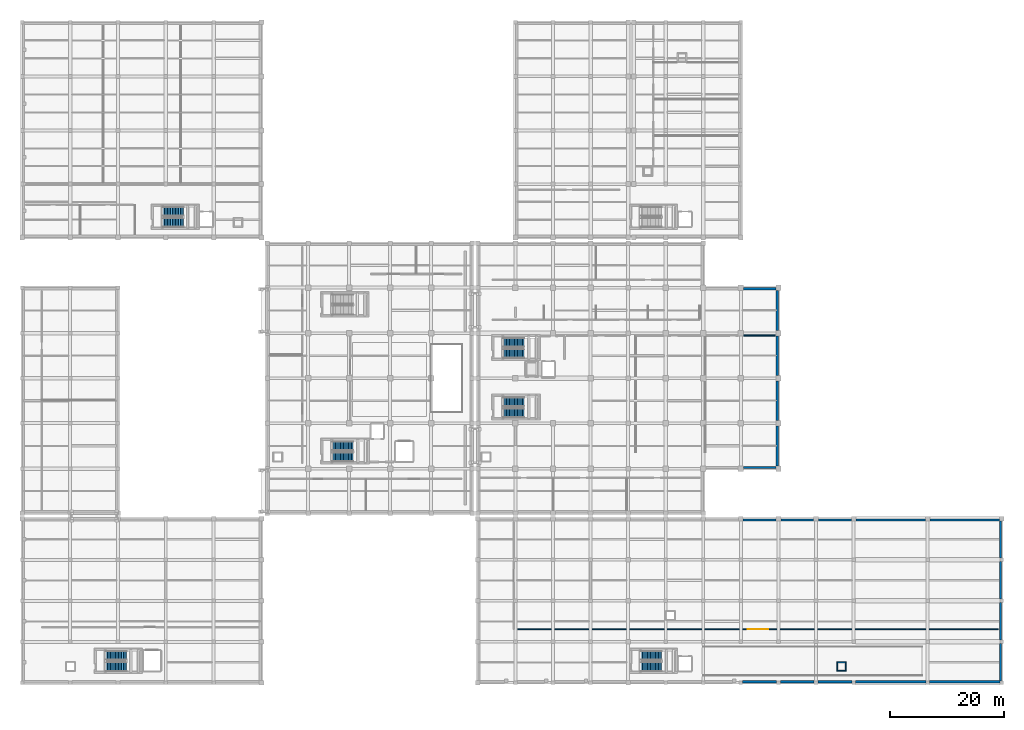
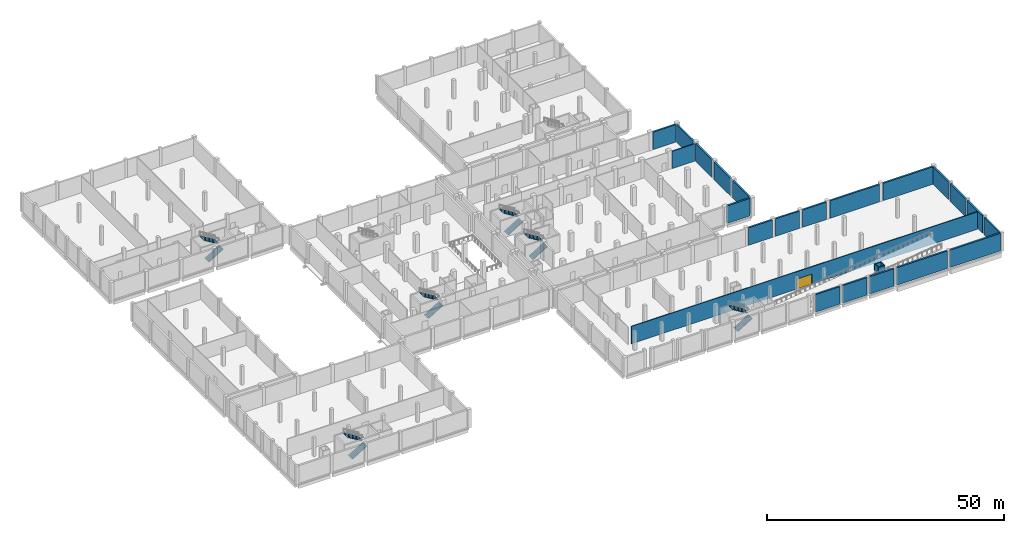
# One storey, part 19 of 31: 26 walls, 12 stair flights, 1 door, 1 opening, 6 elements without a shape of their own.
"""IFC4 building model written with IfcOpenShell, lengths in metres."""

from ifc_helpers import new_model, si_unit, direction, frame, frame_2d, origin, place, context, subcontext, project, spatial, polyline, rectangle, outline, extrude, material, layer, layer_set, type_object, element, fill, aggregate, save


model = new_model("IFC4")

# Units and contexts
model_context = context("Model", 3, precision=1e-05, world=origin(), true_north=direction((0.0, 1.0)))
body_context = subcontext(model_context, "Body", "Model", "MODEL_VIEW")
ifc_project = project(units=[si_unit("LENGTHUNIT", "METRE"), si_unit("AREAUNIT", "SQUARE_METRE"), si_unit("VOLUMEUNIT", "CUBIC_METRE"), si_unit("PLANEANGLEUNIT", "RADIAN"), si_unit("MASSUNIT", "GRAM", prefix="KILO")], contexts=[model_context])

# Site, building, storey
site_placement = place(None, origin())
site = spatial("IfcSite", under=ifc_project, at=site_placement, CompositionType="ELEMENT")
building_placement = place(site_placement, origin())
building = spatial("IfcBuilding", under=site, at=building_placement, Name="Kelarvand Opera House", CompositionType="ELEMENT")
storey_placement = place(building_placement, frame((0.0, 0.0, -4.800048828125)))
storey = spatial("IfcBuildingStorey", under=building, at=storey_placement, Name="B1", CompositionType="ELEMENT", Elevation=-4.800048828125)

# Walls
ifc_material_1 = material(Name="Concrete C35/45", Category="concrete")
ifc_layer_1 = layer(ifc_material_1, 0.419921875, Name="Concrete C35/45", Category="concrete")
ifc_layer_set_1 = layer_set([ifc_layer_1], Name="Concrete C35/45")
wall_type_1 = type_object("IfcWallType", Name="Basement Perimeter Retaining Wall 420", PredefinedType="SHEAR", material=ifc_layer_set_1)
wall_1_placement = place(storey_placement, frame((135.675048828125, 78.18994140625, 0.0), z_axis=(0.0, 0.0, 1.0), x_axis=(1.0, 0.0, 0.0)))
element("IfcWall", 1, at=wall_1_placement, inside=storey, type_object=wall_type_1, Name="V1 B1 Retaining Wall 49", PredefinedType="SHEAR", context=body_context, shape_type="SweptSolid", body=[
    extrude(rectangle(XDim=5.64990234375, YDim=0.419921875, at=frame_2d((2.824951171875, 0.0))), origin(), (0.0, 0.0, 1.0), 4.5),
])
wall_2_placement = place(storey_placement, frame((141.590087890625, 77.925048828125, 0.0), z_axis=(0.0, 0.0, 1.0), x_axis=(0.0, -1.0, 0.0)))
element("IfcWall", 2, at=wall_2_placement, inside=storey, type_object=wall_type_1, Name="V1 B1 Retaining Wall 50", PredefinedType="SHEAR", context=body_context, shape_type="SweptSolid", body=[
    extrude(rectangle(XDim=7.050048828125, YDim=0.419921875, at=frame_2d((3.52490234375, 0.0))), origin(), (0.0, 0.0, 1.0), 4.5),
])
for number, where, z_axis, x_axis, name in (
    (3, (141.590087890625, 69.925048828125, 0.0), (0.0, 0.0, 1.0), (0.0, -1.0, 0.0), "V1 B1 Retaining Wall 51"),
    (4, (141.590087890625, 62.02490234375, 0.0), (0.0, 0.0, 1.0), (0.0, -1.0, 0.0), "V1 B1 Retaining Wall 52"),
):
    element("IfcWall", number, at=place(storey_placement, frame(where, z_axis=z_axis, x_axis=x_axis)), inside=storey, type_object=wall_type_1, Name=name, PredefinedType="SHEAR", context=body_context, shape_type="SweptSolid", body=[
        extrude(rectangle(XDim=6.949951171875, YDim=0.419921875, at=frame_2d((3.47509765625, 0.0))), origin(), (0.0, 0.0, 1.0), 4.5),
    ])
wall_3_placement = place(storey_placement, frame((141.590087890625, 54.125, 0.0), z_axis=(0.0, 0.0, 1.0), x_axis=(0.0, -1.0, 0.0)))
element("IfcWall", 5, at=wall_3_placement, inside=storey, type_object=wall_type_1, Name="V1 B1 Retaining Wall 53", PredefinedType="SHEAR", context=body_context, shape_type="SweptSolid", body=[
    extrude(rectangle(XDim=7.050048828125, YDim=0.419921875, at=frame_2d((3.52490234375, 0.0))), origin(), (0.0, 0.0, 1.0), 4.5),
])
wall_4_placement = place(storey_placement, frame((141.324951171875, 46.81005859375, 0.0), z_axis=(0.0, 0.0, 1.0), x_axis=(-1.0, 0.0, 0.0)))
element("IfcWall", 6, at=wall_4_placement, inside=storey, type_object=wall_type_1, Name="V1 B1 Retaining Wall 54", PredefinedType="SHEAR", context=body_context, shape_type="SweptSolid", body=[
    extrude(rectangle(XDim=5.64990234375, YDim=0.419921875, at=frame_2d((2.824951171875, 0.0))), origin(), (0.0, 0.0, 1.0), 4.5),
])
wall_5_placement = place(storey_placement, frame((180.7900390625, 37.389892578125, 0.0), z_axis=(0.0, 0.0, 1.0), x_axis=(0.0, -1.0, 0.0)))
element("IfcWall", 7, at=wall_5_placement, inside=storey, type_object=wall_type_1, Name="V6 B1 Retaining Wall 665", PredefinedType="SHEAR", context=body_context, shape_type="SweptSolid", body=[
    extrude(rectangle(XDim=6.46484375, YDim=0.419921875, at=frame_2d((3.232421875, 0.0))), origin(), (0.0, 0.0, 1.0), 4.5),
])
wall_6_placement = place(storey_placement, frame((180.7900390625, 30.27490234375, 0.0), z_axis=(0.0, 0.0, 1.0), x_axis=(0.0, -1.0, 0.0)))
element("IfcWall", 8, at=wall_6_placement, inside=storey, type_object=wall_type_1, Name="V6 B1 Retaining Wall 666", PredefinedType="SHEAR", context=body_context, shape_type="SweptSolid", body=[
    extrude(rectangle(XDim=6.5498046875, YDim=0.419921875, at=frame_2d((3.27490234375, 0.0))), origin(), (0.0, 0.0, 1.0), 4.5),
])
for number, where, z_axis, x_axis, name in (
    (9, (180.7900390625, 23.074951171875, 0.0), (0.0, 0.0, 1.0), (0.0, -1.0, 0.0), "V6 B1 Retaining Wall 667"),
    (10, (180.7900390625, 15.875, 0.0), (0.0, 0.0, 1.0), (0.0, -1.0, 0.0), "V6 B1 Retaining Wall 668"),
):
    element("IfcWall", number, at=place(storey_placement, frame(where, z_axis=z_axis, x_axis=x_axis)), inside=storey, type_object=wall_type_1, Name=name, PredefinedType="SHEAR", context=body_context, shape_type="SweptSolid", body=[
        extrude(rectangle(XDim=6.550048828125, YDim=0.419921875, at=frame_2d((3.27490234375, 0.0))), origin(), (0.0, 0.0, 1.0), 4.5),
    ])
wall_7_placement = place(storey_placement, frame((135.610107421875, 37.590087890625, 0.0), z_axis=(0.0, 0.0, 1.0), x_axis=(1.0, 0.0, 0.0)))
element("IfcWall", 11, at=wall_7_placement, inside=storey, type_object=wall_type_1, Name="V6 B1 Retaining Wall 676", PredefinedType="SHEAR", context=body_context, shape_type="SweptSolid", body=[
    extrude(rectangle(XDim=5.77978515625, YDim=0.419921875, at=frame_2d((2.889892578125, 0.0))), origin(), (0.0, 0.0, 1.0), 4.5),
])
for number, where, z_axis, x_axis, name in (
    (12, (142.2099609375, 37.590087890625, 0.0), (0.0, 0.0, 1.0), (1.0, 0.0, 0.0), "V6 B1 Retaining Wall 677"),
    (13, (148.81005859375, 37.590087890625, 0.0), (0.0, 0.0, 1.0), (1.0, 0.0, 0.0), "V6 B1 Retaining Wall 678"),
):
    element("IfcWall", number, at=place(storey_placement, frame(where, z_axis=z_axis, x_axis=x_axis)), inside=storey, type_object=wall_type_1, Name=name, PredefinedType="SHEAR", context=body_context, shape_type="SweptSolid", body=[
        extrude(rectangle(XDim=5.780029296875, YDim=0.419921875, at=frame_2d((2.89013671875, 0.0))), origin(), (0.0, 0.0, 1.0), 4.5),
    ])
for number, where, z_axis, x_axis, name in (
    (14, (155.409912109375, 37.590087890625, 0.0), (0.0, 0.0, 1.0), (1.0, 0.0, 0.0), "V6 B1 Retaining Wall 679"),
    (15, (168.409912109375, 37.590087890625, 0.0), (0.0, 0.0, 1.0), (1.0, 0.0, 0.0), "V6 B1 Retaining Wall 680"),
):
    element("IfcWall", number, at=place(storey_placement, frame(where, z_axis=z_axis, x_axis=x_axis)), inside=storey, type_object=wall_type_1, Name=name, PredefinedType="SHEAR", context=body_context, shape_type="SweptSolid", body=[
        extrude(rectangle(XDim=12.18017578125, YDim=0.419921875, at=frame_2d((6.090087890625, 0.0))), origin(), (0.0, 0.0, 1.0), 4.5),
    ])
for number, where, z_axis, x_axis, name in (
    (16, (180.675048828125, 9.2099609375, 0.0), (0.0, 0.0, 1.0), (-1.0, 0.0, 0.0), "V6 B1 Retaining Wall 685"),
    (17, (167.675048828125, 9.2099609375, 0.0), (0.0, 0.0, 1.0), (-1.0, 0.0, 0.0), "V6 B1 Retaining Wall 686"),
):
    element("IfcWall", number, at=place(storey_placement, frame(where, z_axis=z_axis, x_axis=x_axis)), inside=storey, type_object=wall_type_1, Name=name, PredefinedType="SHEAR", context=body_context, shape_type="SweptSolid", body=[
        extrude(rectangle(XDim=12.35009765625, YDim=0.419921875, at=frame_2d((6.175048828125, 0.0))), origin(), (0.0, 0.0, 1.0), 4.5),
    ])
for number, where, z_axis, x_axis, name in (
    (18, (154.675048828125, 9.2099609375, 0.0), (0.0, 0.0, 1.0), (-1.0, 0.0, 0.0), "V6 B1 Retaining Wall 687"),
    (19, (148.074951171875, 9.2099609375, 0.0), (0.0, 0.0, 1.0), (-1.0, 0.0, 0.0), "V6 B1 Retaining Wall 688"),
):
    element("IfcWall", number, at=place(storey_placement, frame(where, z_axis=z_axis, x_axis=x_axis)), inside=storey, type_object=wall_type_1, Name=name, PredefinedType="SHEAR", context=body_context, shape_type="SweptSolid", body=[
        extrude(rectangle(XDim=5.949951171875, YDim=0.419921875, at=frame_2d((2.97509765625, 0.0))), origin(), (0.0, 0.0, 1.0), 4.5),
    ])
wall_8_placement = place(storey_placement, frame((141.47509765625, 9.2099609375, 0.0), z_axis=(0.0, 0.0, 1.0), x_axis=(-1.0, 0.0, 0.0)))
element("IfcWall", 20, at=wall_8_placement, inside=storey, type_object=wall_type_1, Name="V6 B1 Retaining Wall 689", PredefinedType="SHEAR", context=body_context, shape_type="SweptSolid", body=[
    extrude(rectangle(XDim=5.9501953125, YDim=0.419921875, at=frame_2d((2.97509765625, 0.0))), origin(), (0.0, 0.0, 1.0), 4.5),
])
ifc_layer_2 = layer(ifc_material_1, 0.179931640625, Name="Concrete C35/45", Category="concrete")
ifc_layer_set_2 = layer_set([ifc_layer_2], Name="Concrete C35/45")
wall_type_2 = type_object("IfcWallType", Name="Corridor Fire-Rated Partition Wall 180 EI90", PredefinedType="PARTITIONING", material=ifc_layer_set_2)
wall_9_placement = place(storey_placement, frame((135.675048828125, 70.0, 0.0), z_axis=(0.0, 0.0, 1.0), x_axis=(1.0, 0.0, 0.0)))
element("IfcWall", 21, at=wall_9_placement, inside=storey, type_object=wall_type_2, Name="V1 B1 Partition Wall IW-90 (152)", PredefinedType="PARTITIONING", context=body_context, shape_type="SweptSolid", body=[
    extrude(rectangle(XDim=5.52490234375, YDim=0.179931640625, at=frame_2d((2.762451171875, 0.0))), origin(), (0.0, 0.0, 1.0), 4.47216796875),
])

# Wall, opening, door
wall_10_placement = place(storey_placement, frame((96.0, 18.39990234375, 0.0), z_axis=(0.0, 0.0, 1.0), x_axis=(1.0, 0.0, 0.0)))
wall_10 = element("IfcWall", 22, at=wall_10_placement, inside=storey, type_object=wall_type_2, Name="V6 B1 Partition Wall IW-90 (209)", PredefinedType="PARTITIONING", context=body_context, shape_type="SweptSolid", body=[
    extrude(rectangle(XDim=84.39990234375, YDim=0.179931640625, at=frame_2d((42.199951171875, 0.0))), origin(), (0.0, 0.0, 1.0), 4.491943359375),
])
opening_placement = place(wall_10_placement, frame((40.39990234375, 0.0, 0.0)))
opening = element("IfcOpeningElement", 23, at=opening_placement, cuts=wall_10, Name="Opening VG-02", PredefinedType="OPENING", context=body_context, shape_type="SweptSolid", body=[
    extrude(rectangle(XDim=3.60009765625, YDim=2.60009765625, at=frame_2d((1.800048828125, 1.300048828125))), frame((0.0, 0.10009765625, 0.0), z_axis=(0.0, -1.0, 0.0), x_axis=(1.0, 0.0, 0.0)), (0.0, 0.0, 1.0), 0.199951171875),
])
ifc_material_2 = material(Name="Fire-rated brushed stainless steel", Category="steel")
door_type = type_object("IfcDoorType", Name="Basement Car Park Fire-Rated Rolling Vehicle Shutter 3600x2600", OperationType="ROLLINGUP", PredefinedType="DOOR", material=ifc_material_2)
door_placement = place(opening_placement, origin())
door = element("IfcDoor", 24, at=door_placement, inside=storey, type_object=door_type, Name="V6 B1 Door VG-02 (91)", OperationType="DOUBLE_DOOR_SINGLE_SWING", OverallHeight=2.60009765625, OverallWidth=3.60009765625, PredefinedType="DOOR", context=body_context, shape_type="SweptSolid", body=[
    extrude(rectangle(XDim=3.60009765625, YDim=2.60009765625, at=frame_2d((1.800048828125, 1.300048828125))), frame((0.0, 0.02490234375, 0.0), z_axis=(0.0, -1.0, 0.0), x_axis=(1.0, 0.0, 0.0)), (0.0, 0.0, 1.0), 0.050048828125),
])
fill(opening, door)

# Walls
ifc_layer_3 = layer(ifc_material_1, 0.199951171875, Name="Concrete C35/45", Category="concrete")
ifc_layer_set_3 = layer_set([ifc_layer_3], Name="Concrete C35/45")
wall_type_3 = type_object("IfcWallType", Name="Lift and Riser Shaft Enclosure Wall 200 EI120", PredefinedType="PARTITIONING", material=ifc_layer_set_3)
for number, where, z_axis, x_axis, name in (
    (25, (152.0, 11.10009765625, 0.0), (0.0, 0.0, 1.0), (1.0, 0.0, 0.0), "RSR-V6B B1 Riser Shaft Wall 89"),
    (26, (153.699951171875, 12.60009765625, 0.0), (0.0, 0.0, 1.0), (-1.0, 0.0, 0.0), "RSR-V6B B1 Riser Shaft Wall 90"),
):
    element("IfcWall", number, at=place(storey_placement, frame(where, z_axis=z_axis, x_axis=x_axis)), inside=storey, type_object=wall_type_3, Name=name, PredefinedType="PARTITIONING", context=body_context, shape_type="SweptSolid", body=[
        extrude(rectangle(XDim=1.699951171875, YDim=0.199951171875, at=frame_2d((0.85009765625, 0.0))), origin(), (0.0, 0.0, 1.0), 4.5),
    ])
for number, where, z_axis, x_axis, name in (
    (27, (152.10009765625, 11.199951171875, 0.0), (0.0, 0.0, 1.0), (0.0, 1.0, 0.0), "RSR-V6B B1 Riser Shaft Wall 91"),
    (28, (153.60009765625, 12.5, 0.0), (0.0, 0.0, 1.0), (0.0, -1.0, 0.0), "RSR-V6B B1 Riser Shaft Wall 92"),
):
    element("IfcWall", number, at=place(storey_placement, frame(where, z_axis=z_axis, x_axis=x_axis)), inside=storey, type_object=wall_type_3, Name=name, PredefinedType="PARTITIONING", context=body_context, shape_type="SweptSolid", body=[
        extrude(rectangle(XDim=1.300048828125, YDim=0.199951171875, at=frame_2d((0.64990234375, 0.0))), origin(), (0.0, 0.0, 1.0), 4.5),
    ])

# Stair, stair flights
stair_type = type_object("IfcStairType", Name="Dogleg Concrete Exit Stair 1660mm 28R STA-01", PredefinedType="HALF_TURN_STAIR", material=ifc_material_1)
stair_1_placement = place(storey_placement, origin())
stair_1 = element("IfcStair", 29, at=stair_1_placement, inside=storey, type_object=stair_type, Name="B1 Auditorium North Firefighting and Public Core C1 Stair ST-01", PredefinedType="HALF_TURN_STAIR")
stair_flight_type = type_object("IfcStairFlightType", Name="Precast Stair Flight 1660mm 14x171mm STF-01", PredefinedType="STRAIGHT", material=ifc_material_1)
stair_flight_1_placement = place(storey_placement, frame((93.4599609375, 66.830078125, 0.0), z_axis=(0.0, 0.0, 1.0), x_axis=(1.0, 0.0, 0.0)))
stair_flight_1 = element("IfcStairFlight", 30, at=stair_flight_1_placement, type_object=stair_flight_type, Name="ST-01 flight 1", NumberOfRisers=14, NumberOfTreads=13, PredefinedType="STRAIGHT", RiserHeight=0.171428571, TreadLength=0.28, context=body_context, shape_type="SweptSolid", body=[
    extrude(outline(polyline([(0.0, 0.0), (0.0, 0.17138671875), (0.280029296875, 0.17138671875), (0.280029296875, 0.3427734375), (0.56005859375, 0.3427734375), (0.56005859375, 0.514404296875), (0.840087890625, 0.514404296875), (0.840087890625, 0.685791015625), (1.1201171875, 0.685791015625), (1.1201171875, 0.857177734375), (1.39990234375, 0.857177734375), (1.39990234375, 1.028564453125), (1.679931640625, 1.028564453125), (1.679931640625, 1.199951171875), (1.9599609375, 1.199951171875), (1.9599609375, 1.371337890625), (2.239990234375, 1.371337890625), (2.239990234375, 1.54296875), (2.52001953125, 1.54296875), (2.52001953125, 1.71435546875), (2.800048828125, 1.71435546875), (2.800048828125, 1.8857421875), (3.080078125, 1.8857421875), (3.080078125, 2.05712890625), (3.360107421875, 2.05712890625), (3.360107421875, 2.228515625), (3.639892578125, 2.228515625), (3.639892578125, 2.39990234375), (3.639892578125, 2.041015625), (0.30615234375, 0.0), (0.0, 0.0)])), frame((0.0, 0.830078125, 0.0), z_axis=(0.0, -1.0, 0.0), x_axis=(1.0, 0.0, 0.0)), (0.0, 0.0, 1.0), 1.659912109375),
])
stair_flight_2_placement = place(storey_placement, frame((97.10009765625, 68.77001953125, 2.400146484375), z_axis=(0.0, 0.0, 1.0), x_axis=(-1.0, 0.0, 0.0)))
stair_flight_2 = element("IfcStairFlight", 31, at=stair_flight_2_placement, type_object=stair_flight_type, Name="ST-01 flight 2", NumberOfRisers=14, NumberOfTreads=13, PredefinedType="STRAIGHT", RiserHeight=0.171428571, TreadLength=0.28, context=body_context, shape_type="SweptSolid", body=[
    extrude(outline(polyline([(0.0, 0.0), (0.0, 0.17138671875), (0.280029296875, 0.17138671875), (0.280029296875, 0.3427734375), (0.56005859375, 0.3427734375), (0.56005859375, 0.514404296875), (0.840087890625, 0.514404296875), (0.840087890625, 0.685791015625), (1.1201171875, 0.685791015625), (1.1201171875, 0.857177734375), (1.39990234375, 0.857177734375), (1.39990234375, 1.028564453125), (1.679931640625, 1.028564453125), (1.679931640625, 1.199951171875), (1.9599609375, 1.199951171875), (1.9599609375, 1.371337890625), (2.239990234375, 1.371337890625), (2.239990234375, 1.54296875), (2.52001953125, 1.54296875), (2.52001953125, 1.71435546875), (2.800048828125, 1.71435546875), (2.800048828125, 1.8857421875), (3.080078125, 1.8857421875), (3.080078125, 2.05712890625), (3.360107421875, 2.05712890625), (3.360107421875, 2.228515625), (3.639892578125, 2.228515625), (3.639892578125, 2.39990234375), (3.639892578125, 2.041015625), (0.30615234375, 0.0), (0.0, 0.0)])), frame((0.0, 0.830078125, 0.0), z_axis=(0.0, -1.0, 0.0), x_axis=(1.0, 0.0, 0.0)), (0.0, 0.0, 1.0), 1.659912109375),
])
aggregate(stair_1, [stair_flight_1, stair_flight_2])

stair_2_placement = place(storey_placement, origin())
stair_2 = element("IfcStair", 32, at=stair_2_placement, inside=storey, type_object=stair_type, Name="B1 Stage House South Firefighting and Goods Core C2 Stair ST-02", PredefinedType="HALF_TURN_STAIR")
stair_flight_3_placement = place(storey_placement, frame((63.4599609375, 48.6298828125, 0.0), z_axis=(0.0, 0.0, 1.0), x_axis=(1.0, 0.0, 0.0)))
stair_flight_3 = element("IfcStairFlight", 33, at=stair_flight_3_placement, type_object=stair_flight_type, Name="ST-02 flight 1", NumberOfRisers=14, NumberOfTreads=13, PredefinedType="STRAIGHT", RiserHeight=0.171428571, TreadLength=0.28, context=body_context, shape_type="SweptSolid", body=[
    extrude(outline(polyline([(0.0, 0.0), (0.0, 0.17138671875), (0.280029296875, 0.17138671875), (0.280029296875, 0.3427734375), (0.56005859375, 0.3427734375), (0.56005859375, 0.514404296875), (0.840087890625, 0.514404296875), (0.840087890625, 0.685791015625), (1.1201171875, 0.685791015625), (1.1201171875, 0.857177734375), (1.39990234375, 0.857177734375), (1.39990234375, 1.028564453125), (1.679931640625, 1.028564453125), (1.679931640625, 1.199951171875), (1.9599609375, 1.199951171875), (1.9599609375, 1.371337890625), (2.239990234375, 1.371337890625), (2.239990234375, 1.54296875), (2.52001953125, 1.54296875), (2.52001953125, 1.71435546875), (2.800048828125, 1.71435546875), (2.800048828125, 1.8857421875), (3.080078125, 1.8857421875), (3.080078125, 2.05712890625), (3.360107421875, 2.05712890625), (3.360107421875, 2.228515625), (3.639892578125, 2.228515625), (3.639892578125, 2.39990234375), (3.639892578125, 2.041015625), (0.30615234375, 0.0), (0.0, 0.0)])), frame((0.0, 0.830078125, 0.0), z_axis=(0.0, -1.0, 0.0), x_axis=(1.0, 0.0, 0.0)), (0.0, 0.0, 1.0), 1.659912109375),
])
stair_flight_4_placement = place(storey_placement, frame((67.10009765625, 50.570068359375, 2.400146484375), z_axis=(0.0, 0.0, 1.0), x_axis=(-1.0, 0.0, 0.0)))
stair_flight_4 = element("IfcStairFlight", 34, at=stair_flight_4_placement, type_object=stair_flight_type, Name="ST-02 flight 2", NumberOfRisers=14, NumberOfTreads=13, PredefinedType="STRAIGHT", RiserHeight=0.171428571, TreadLength=0.28, context=body_context, shape_type="SweptSolid", body=[
    extrude(outline(polyline([(0.0, 0.0), (0.0, 0.17138671875), (0.280029296875, 0.17138671875), (0.280029296875, 0.3427734375), (0.56005859375, 0.3427734375), (0.56005859375, 0.514404296875), (0.840087890625, 0.514404296875), (0.840087890625, 0.685791015625), (1.1201171875, 0.685791015625), (1.1201171875, 0.857177734375), (1.39990234375, 0.857177734375), (1.39990234375, 1.028564453125), (1.679931640625, 1.028564453125), (1.679931640625, 1.199951171875), (1.9599609375, 1.199951171875), (1.9599609375, 1.371337890625), (2.239990234375, 1.371337890625), (2.239990234375, 1.54296875), (2.52001953125, 1.54296875), (2.52001953125, 1.71435546875), (2.800048828125, 1.71435546875), (2.800048828125, 1.8857421875), (3.080078125, 1.8857421875), (3.080078125, 2.05712890625), (3.360107421875, 2.05712890625), (3.360107421875, 2.228515625), (3.639892578125, 2.228515625), (3.639892578125, 2.39990234375), (3.639892578125, 2.041015625), (0.30615234375, 0.0), (0.0, 0.0)])), frame((0.0, 0.830078125, 0.0), z_axis=(0.0, -1.0, 0.0), x_axis=(1.0, 0.0, 0.0)), (0.0, 0.0, 1.0), 1.659912109375),
])
aggregate(stair_2, [stair_flight_3, stair_flight_4])

stair_3_placement = place(storey_placement, origin())
stair_3 = element("IfcStair", 35, at=stair_3_placement, inside=storey, type_object=stair_type, Name="B1 Auditorium South Foyer Core C4 Stair ST-04", PredefinedType="HALF_TURN_STAIR")
stair_flight_5_placement = place(storey_placement, frame((93.4599609375, 56.3798828125, 0.0), z_axis=(0.0, 0.0, 1.0), x_axis=(1.0, 0.0, 0.0)))
stair_flight_5 = element("IfcStairFlight", 36, at=stair_flight_5_placement, type_object=stair_flight_type, Name="ST-04 flight 1", NumberOfRisers=14, NumberOfTreads=13, PredefinedType="STRAIGHT", RiserHeight=0.171428571, TreadLength=0.28, context=body_context, shape_type="SweptSolid", body=[
    extrude(outline(polyline([(0.0, 0.0), (0.0, 0.17138671875), (0.280029296875, 0.17138671875), (0.280029296875, 0.3427734375), (0.56005859375, 0.3427734375), (0.56005859375, 0.514404296875), (0.840087890625, 0.514404296875), (0.840087890625, 0.685791015625), (1.1201171875, 0.685791015625), (1.1201171875, 0.857177734375), (1.39990234375, 0.857177734375), (1.39990234375, 1.028564453125), (1.679931640625, 1.028564453125), (1.679931640625, 1.199951171875), (1.9599609375, 1.199951171875), (1.9599609375, 1.371337890625), (2.239990234375, 1.371337890625), (2.239990234375, 1.54296875), (2.52001953125, 1.54296875), (2.52001953125, 1.71435546875), (2.800048828125, 1.71435546875), (2.800048828125, 1.8857421875), (3.080078125, 1.8857421875), (3.080078125, 2.05712890625), (3.360107421875, 2.05712890625), (3.360107421875, 2.228515625), (3.639892578125, 2.228515625), (3.639892578125, 2.39990234375), (3.639892578125, 2.041015625), (0.30615234375, 0.0), (0.0, 0.0)])), frame((0.0, 0.830078125, 0.0), z_axis=(0.0, -1.0, 0.0), x_axis=(1.0, 0.0, 0.0)), (0.0, 0.0, 1.0), 1.659912109375),
])
stair_flight_6_placement = place(storey_placement, frame((97.10009765625, 58.320068359375, 2.400146484375), z_axis=(0.0, 0.0, 1.0), x_axis=(-1.0, 0.0, 0.0)))
stair_flight_6 = element("IfcStairFlight", 37, at=stair_flight_6_placement, type_object=stair_flight_type, Name="ST-04 flight 2", NumberOfRisers=14, NumberOfTreads=13, PredefinedType="STRAIGHT", RiserHeight=0.171428571, TreadLength=0.28, context=body_context, shape_type="SweptSolid", body=[
    extrude(outline(polyline([(0.0, 0.0), (0.0, 0.17138671875), (0.280029296875, 0.17138671875), (0.280029296875, 0.3427734375), (0.56005859375, 0.3427734375), (0.56005859375, 0.514404296875), (0.840087890625, 0.514404296875), (0.840087890625, 0.685791015625), (1.1201171875, 0.685791015625), (1.1201171875, 0.857177734375), (1.39990234375, 0.857177734375), (1.39990234375, 1.028564453125), (1.679931640625, 1.028564453125), (1.679931640625, 1.199951171875), (1.9599609375, 1.199951171875), (1.9599609375, 1.371337890625), (2.239990234375, 1.371337890625), (2.239990234375, 1.54296875), (2.52001953125, 1.54296875), (2.52001953125, 1.71435546875), (2.800048828125, 1.71435546875), (2.800048828125, 1.8857421875), (3.080078125, 1.8857421875), (3.080078125, 2.05712890625), (3.360107421875, 2.05712890625), (3.360107421875, 2.228515625), (3.639892578125, 2.228515625), (3.639892578125, 2.39990234375), (3.639892578125, 2.041015625), (0.30615234375, 0.0), (0.0, 0.0)])), frame((0.0, 0.830078125, 0.0), z_axis=(0.0, -1.0, 0.0), x_axis=(1.0, 0.0, 0.0)), (0.0, 0.0, 1.0), 1.659912109375),
])
aggregate(stair_3, [stair_flight_5, stair_flight_6])

stair_4_placement = place(storey_placement, origin())
stair_4 = element("IfcStair", 38, at=stair_4_placement, inside=storey, type_object=stair_type, Name="B1 Rehearsal Pavilion Core C5 Stair ST-05", PredefinedType="HALF_TURN_STAIR")
stair_flight_7_placement = place(storey_placement, frame((33.659912109375, 89.830078125, 0.0), z_axis=(0.0, 0.0, 1.0), x_axis=(1.0, 0.0, 0.0)))
stair_flight_7 = element("IfcStairFlight", 39, at=stair_flight_7_placement, type_object=stair_flight_type, Name="ST-05 flight 1", NumberOfRisers=14, NumberOfTreads=13, PredefinedType="STRAIGHT", RiserHeight=0.171428571, TreadLength=0.28, context=body_context, shape_type="SweptSolid", body=[
    extrude(outline(polyline([(0.0, 0.0), (0.0, 0.17138671875), (0.280029296875, 0.17138671875), (0.280029296875, 0.3427734375), (0.56005859375, 0.3427734375), (0.56005859375, 0.514404296875), (0.840087890625, 0.514404296875), (0.840087890625, 0.685791015625), (1.1201171875, 0.685791015625), (1.1201171875, 0.857177734375), (1.39990234375, 0.857177734375), (1.39990234375, 1.028564453125), (1.679931640625, 1.028564453125), (1.679931640625, 1.199951171875), (1.9599609375, 1.199951171875), (1.9599609375, 1.371337890625), (2.239990234375, 1.371337890625), (2.239990234375, 1.54296875), (2.52001953125, 1.54296875), (2.52001953125, 1.71435546875), (2.800048828125, 1.71435546875), (2.800048828125, 1.8857421875), (3.080078125, 1.8857421875), (3.080078125, 2.05712890625), (3.360107421875, 2.05712890625), (3.360107421875, 2.228515625), (3.639892578125, 2.228515625), (3.639892578125, 2.39990234375), (3.639892578125, 2.041015625), (0.30615234375, 0.0), (0.0, 0.0)])), frame((0.0, 0.830078125, 0.0), z_axis=(0.0, -1.0, 0.0), x_axis=(1.0, 0.0, 0.0)), (0.0, 0.0, 1.0), 1.659912109375),
])
stair_flight_8_placement = place(storey_placement, frame((37.300048828125, 91.77001953125, 2.400146484375), z_axis=(0.0, 0.0, 1.0), x_axis=(-1.0, 0.0, 0.0)))
stair_flight_8 = element("IfcStairFlight", 40, at=stair_flight_8_placement, type_object=stair_flight_type, Name="ST-05 flight 2", NumberOfRisers=14, NumberOfTreads=13, PredefinedType="STRAIGHT", RiserHeight=0.171428571, TreadLength=0.28, context=body_context, shape_type="SweptSolid", body=[
    extrude(outline(polyline([(0.0, 0.0), (0.0, 0.17138671875), (0.280029296875, 0.17138671875), (0.280029296875, 0.3427734375), (0.56005859375, 0.3427734375), (0.56005859375, 0.514404296875), (0.840087890625, 0.514404296875), (0.840087890625, 0.685791015625), (1.1201171875, 0.685791015625), (1.1201171875, 0.857177734375), (1.39990234375, 0.857177734375), (1.39990234375, 1.028564453125), (1.679931640625, 1.028564453125), (1.679931640625, 1.199951171875), (1.9599609375, 1.199951171875), (1.9599609375, 1.371337890625), (2.239990234375, 1.371337890625), (2.239990234375, 1.54296875), (2.52001953125, 1.54296875), (2.52001953125, 1.71435546875), (2.800048828125, 1.71435546875), (2.800048828125, 1.8857421875), (3.080078125, 1.8857421875), (3.080078125, 2.05712890625), (3.360107421875, 2.05712890625), (3.360107421875, 2.228515625), (3.639892578125, 2.228515625), (3.639892578125, 2.39990234375), (3.639892578125, 2.041015625), (0.30615234375, 0.0), (0.0, 0.0)])), frame((0.0, 0.830078125, 0.0), z_axis=(0.0, -1.0, 0.0), x_axis=(1.0, 0.0, 0.0)), (0.0, 0.0, 1.0), 1.659912109375),
])
aggregate(stair_4, [stair_flight_7, stair_flight_8])

stair_5_placement = place(storey_placement, origin())
stair_5 = element("IfcStair", 41, at=stair_5_placement, inside=storey, type_object=stair_type, Name="B1 Scenery Workshop and Freight Core C6 Stair ST-06", PredefinedType="HALF_TURN_STAIR")
stair_flight_9_placement = place(storey_placement, frame((23.659912109375, 11.830078125, 0.0), z_axis=(0.0, 0.0, 1.0), x_axis=(1.0, 0.0, 0.0)))
stair_flight_9 = element("IfcStairFlight", 42, at=stair_flight_9_placement, type_object=stair_flight_type, Name="ST-06 flight 1", NumberOfRisers=14, NumberOfTreads=13, PredefinedType="STRAIGHT", RiserHeight=0.171428571, TreadLength=0.28, context=body_context, shape_type="SweptSolid", body=[
    extrude(outline(polyline([(0.0, 0.0), (0.0, 0.17138671875), (0.280029296875, 0.17138671875), (0.280029296875, 0.3427734375), (0.56005859375, 0.3427734375), (0.56005859375, 0.514404296875), (0.840087890625, 0.514404296875), (0.840087890625, 0.685791015625), (1.1201171875, 0.685791015625), (1.1201171875, 0.857177734375), (1.39990234375, 0.857177734375), (1.39990234375, 1.028564453125), (1.679931640625, 1.028564453125), (1.679931640625, 1.199951171875), (1.9599609375, 1.199951171875), (1.9599609375, 1.371337890625), (2.239990234375, 1.371337890625), (2.239990234375, 1.54296875), (2.52001953125, 1.54296875), (2.52001953125, 1.71435546875), (2.800048828125, 1.71435546875), (2.800048828125, 1.8857421875), (3.080078125, 1.8857421875), (3.080078125, 2.05712890625), (3.360107421875, 2.05712890625), (3.360107421875, 2.228515625), (3.639892578125, 2.228515625), (3.639892578125, 2.39990234375), (3.639892578125, 2.041015625), (0.30615234375, 0.0), (0.0, 0.0)])), frame((0.0, 0.830078125, 0.0), z_axis=(0.0, -1.0, 0.0), x_axis=(1.0, 0.0, 0.0)), (0.0, 0.0, 1.0), 1.659912109375),
])
stair_flight_10_placement = place(storey_placement, frame((27.300048828125, 13.77001953125, 2.400146484375), z_axis=(0.0, 0.0, 1.0), x_axis=(-1.0, 0.0, 0.0)))
stair_flight_10 = element("IfcStairFlight", 43, at=stair_flight_10_placement, type_object=stair_flight_type, Name="ST-06 flight 2", NumberOfRisers=14, NumberOfTreads=13, PredefinedType="STRAIGHT", RiserHeight=0.171428571, TreadLength=0.28, context=body_context, shape_type="SweptSolid", body=[
    extrude(outline(polyline([(0.0, 0.0), (0.0, 0.17138671875), (0.280029296875, 0.17138671875), (0.280029296875, 0.3427734375), (0.56005859375, 0.3427734375), (0.56005859375, 0.514404296875), (0.840087890625, 0.514404296875), (0.840087890625, 0.685791015625), (1.1201171875, 0.685791015625), (1.1201171875, 0.857177734375), (1.39990234375, 0.857177734375), (1.39990234375, 1.028564453125), (1.679931640625, 1.028564453125), (1.679931640625, 1.199951171875), (1.9599609375, 1.199951171875), (1.9599609375, 1.371337890625), (2.239990234375, 1.371337890625), (2.239990234375, 1.54296875), (2.52001953125, 1.54296875), (2.52001953125, 1.71435546875), (2.800048828125, 1.71435546875), (2.800048828125, 1.8857421875), (3.080078125, 1.8857421875), (3.080078125, 2.05712890625), (3.360107421875, 2.05712890625), (3.360107421875, 2.228515625), (3.639892578125, 2.228515625), (3.639892578125, 2.39990234375), (3.639892578125, 2.041015625), (0.30615234375, 0.0), (0.0, 0.0)])), frame((0.0, 0.830078125, 0.0), z_axis=(0.0, -1.0, 0.0), x_axis=(1.0, 0.0, 0.0)), (0.0, 0.0, 1.0), 1.659912109375),
])
aggregate(stair_5, [stair_flight_9, stair_flight_10])

stair_6_placement = place(storey_placement, origin())
stair_6 = element("IfcStair", 44, at=stair_6_placement, inside=storey, type_object=stair_type, Name="B1 South Dressing and Production Core C8 Stair ST-08", PredefinedType="HALF_TURN_STAIR")
stair_flight_11_placement = place(storey_placement, frame((117.659912109375, 11.830078125, 0.0), z_axis=(0.0, 0.0, 1.0), x_axis=(1.0, 0.0, 0.0)))
stair_flight_11 = element("IfcStairFlight", 45, at=stair_flight_11_placement, type_object=stair_flight_type, Name="ST-08 flight 1", NumberOfRisers=14, NumberOfTreads=13, PredefinedType="STRAIGHT", RiserHeight=0.171428571, TreadLength=0.28, context=body_context, shape_type="SweptSolid", body=[
    extrude(outline(polyline([(0.0, 0.0), (0.0, 0.17138671875), (0.280029296875, 0.17138671875), (0.280029296875, 0.3427734375), (0.56005859375, 0.3427734375), (0.56005859375, 0.514404296875), (0.840087890625, 0.514404296875), (0.840087890625, 0.685791015625), (1.1201171875, 0.685791015625), (1.1201171875, 0.857177734375), (1.39990234375, 0.857177734375), (1.39990234375, 1.028564453125), (1.679931640625, 1.028564453125), (1.679931640625, 1.199951171875), (1.9599609375, 1.199951171875), (1.9599609375, 1.371337890625), (2.239990234375, 1.371337890625), (2.239990234375, 1.54296875), (2.52001953125, 1.54296875), (2.52001953125, 1.71435546875), (2.800048828125, 1.71435546875), (2.800048828125, 1.8857421875), (3.080078125, 1.8857421875), (3.080078125, 2.05712890625), (3.360107421875, 2.05712890625), (3.360107421875, 2.228515625), (3.639892578125, 2.228515625), (3.639892578125, 2.39990234375), (3.639892578125, 2.041015625), (0.30615234375, 0.0), (0.0, 0.0)])), frame((0.0, 0.830078125, 0.0), z_axis=(0.0, -1.0, 0.0), x_axis=(1.0, 0.0, 0.0)), (0.0, 0.0, 1.0), 1.659912109375),
])
stair_flight_12_placement = place(storey_placement, frame((121.300048828125, 13.77001953125, 2.400146484375), z_axis=(0.0, 0.0, 1.0), x_axis=(-1.0, 0.0, 0.0)))
stair_flight_12 = element("IfcStairFlight", 46, at=stair_flight_12_placement, type_object=stair_flight_type, Name="ST-08 flight 2", NumberOfRisers=14, NumberOfTreads=13, PredefinedType="STRAIGHT", RiserHeight=0.171428571, TreadLength=0.28, context=body_context, shape_type="SweptSolid", body=[
    extrude(outline(polyline([(0.0, 0.0), (0.0, 0.17138671875), (0.280029296875, 0.17138671875), (0.280029296875, 0.3427734375), (0.56005859375, 0.3427734375), (0.56005859375, 0.514404296875), (0.840087890625, 0.514404296875), (0.840087890625, 0.685791015625), (1.1201171875, 0.685791015625), (1.1201171875, 0.857177734375), (1.39990234375, 0.857177734375), (1.39990234375, 1.028564453125), (1.679931640625, 1.028564453125), (1.679931640625, 1.199951171875), (1.9599609375, 1.199951171875), (1.9599609375, 1.371337890625), (2.239990234375, 1.371337890625), (2.239990234375, 1.54296875), (2.52001953125, 1.54296875), (2.52001953125, 1.71435546875), (2.800048828125, 1.71435546875), (2.800048828125, 1.8857421875), (3.080078125, 1.8857421875), (3.080078125, 2.05712890625), (3.360107421875, 2.05712890625), (3.360107421875, 2.228515625), (3.639892578125, 2.228515625), (3.639892578125, 2.39990234375), (3.639892578125, 2.041015625), (0.30615234375, 0.0), (0.0, 0.0)])), frame((0.0, 0.830078125, 0.0), z_axis=(0.0, -1.0, 0.0), x_axis=(1.0, 0.0, 0.0)), (0.0, 0.0, 1.0), 1.659912109375),
])
aggregate(stair_6, [stair_flight_11, stair_flight_12])

save(model, "model.ifc")
